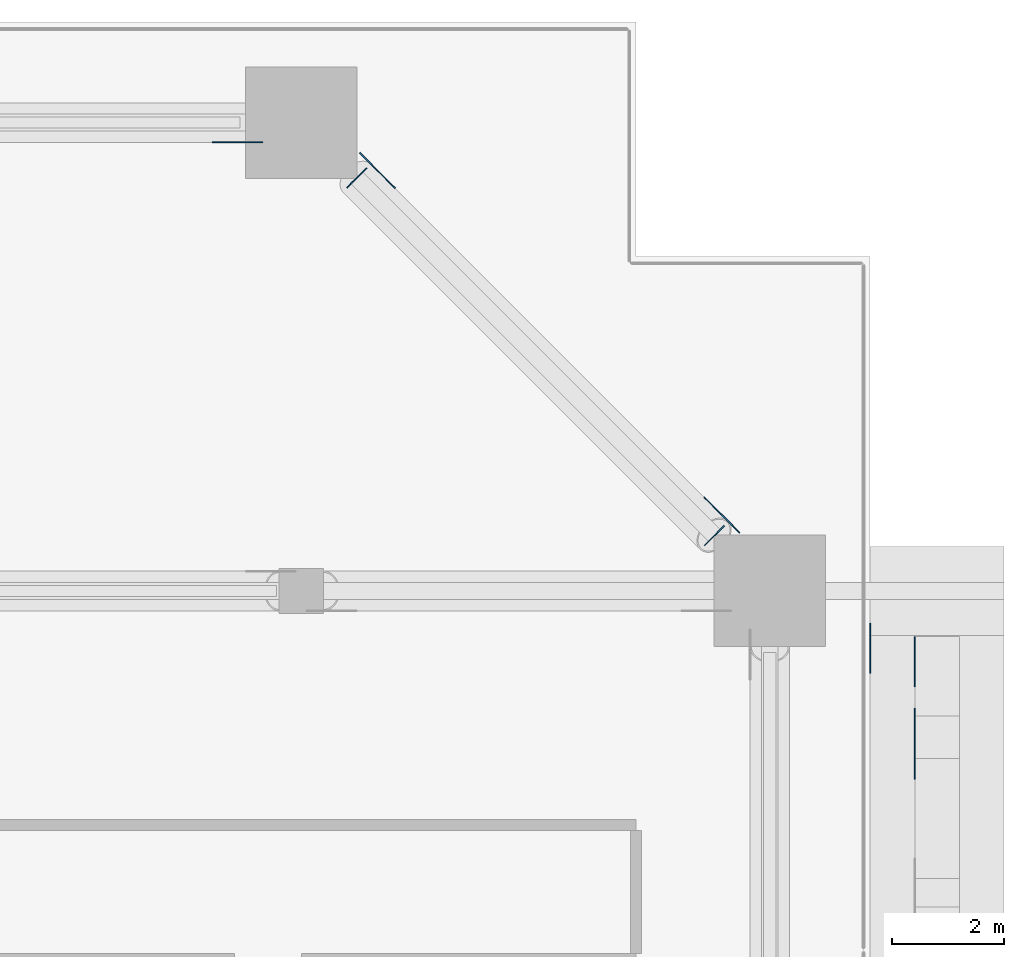
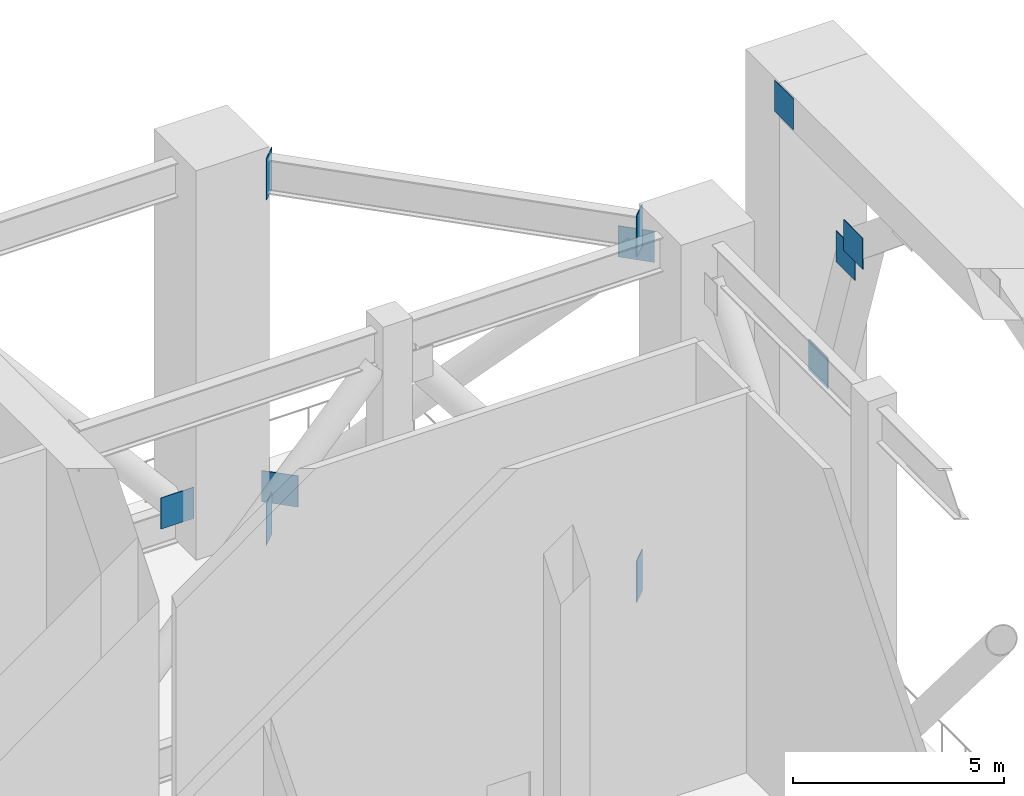
# One storey, part 15 of 19: 11 discrete accessories.
"""IFC4 building model written with IfcOpenShell, lengths in metres."""

from ifc_helpers import new_model, si_unit, direction, frame, origin, origin_2d, place, context, subcontext, project, spatial, rectangle, extrude, element, save


model = new_model("IFC4")

# Units and contexts
model_context = context("Model", 3, precision=1e-05, world=origin(), true_north=direction((0.0, 1.0)))
body_context = subcontext(model_context, "Body", "Model", "MODEL_VIEW")
ifc_project = project(units=[si_unit("LENGTHUNIT", "METRE"), si_unit("AREAUNIT", "SQUARE_METRE"), si_unit("VOLUMEUNIT", "CUBIC_METRE"), si_unit("PLANEANGLEUNIT", "RADIAN"), si_unit("MASSUNIT", "GRAM", prefix="KILO")], contexts=[model_context])

# Site, building, storey
site_placement = place(None, origin())
site = spatial("IfcSite", under=ifc_project, at=site_placement, CompositionType="ELEMENT")
building_placement = place(site_placement, origin())
building = spatial("IfcBuilding", under=site, at=building_placement, Name="Saffron Gate Tower", CompositionType="ELEMENT")
storey_placement = place(building_placement, frame((0.0, 0.0, 84.0)))
storey = spatial("IfcBuildingStorey", under=building, at=storey_placement, Name="L20", CompositionType="ELEMENT", Elevation=84.0)

# Discrete accessories
for number, where, z_axis, x_axis, name in (
    (1, (118.364501953125, 72.9384765625, 0.70849609375), (0.0, 0.0, 1.0), (0.707106781187, -0.707106781187, 0.0), "GUSSET PLATE"),
    (2, (124.538330078125, 66.764404296875, 9.361572265625), (0.0, 0.0, 1.0), (0.707106781187, -0.707106781187, 0.0), "GUSSET PLATE"),
    (3, (115.8544921875, 73.444580078125, 0.7216796875), (0.0, 0.0, 1.0), (-1.0, 0.0, 0.0), "GUSSET PLATE"),
):
    element("IfcDiscreteAccessory", number, at=place(storey_placement, frame(where, z_axis=z_axis, x_axis=x_axis)), inside=storey, Name=name, ObjectType="GUSSET PLATE", PredefinedType="USERDEFINED", context=body_context, shape_type="SweptSolid", body=[
        extrude(rectangle(XDim=0.89990234375, YDim=0.02001953125, at=origin_2d()), origin(), (0.0, 0.0, 1.0), 0.89990234375),
    ])
for number, where, z_axis, x_axis, name in (
    (4, (128.0, 62.4755859375, 10.737548828125), (0.0, 0.0, 1.0), (0.0, 1.0, 0.0), "EMBEDDED PLATE"),
    (5, (128.0, 62.8447265625, 10.19677734375), (0.0, 0.0, 1.0), (0.0, 1.0, 0.0), "EMBEDDED PLATE"),
    (6, (128.0, 64.1298828125, 6.28125), (0.0, 0.0, 1.0), (0.0, 1.0, 0.0), "EMBEDDED PLATE"),
    (7, (127.199951171875, 64.375, 13.900146484375), (0.0, 0.0, 1.0), (0.0, 1.0, 0.0), "EMBEDDED PLATE"),
):
    element("IfcDiscreteAccessory", number, at=place(storey_placement, frame(where, z_axis=z_axis, x_axis=x_axis)), inside=storey, Name=name, ObjectType="EMBEDDED PLATE", PredefinedType="USERDEFINED", context=body_context, shape_type="SweptSolid", body=[
        extrude(rectangle(XDim=0.89990234375, YDim=0.02001953125, at=origin_2d()), origin(), (0.0, 0.0, 1.0), 0.89990234375),
    ])
for number, where, z_axis, x_axis, name in (
    (8, (117.992919921875, 72.80712890625, 9.8701171875), (0.0, 0.0, 1.0), (-0.707106781187, 0.707106781187, 0.0), "BELT TRUSS END PLATE"),
    (9, (124.406982421875, 66.392822265625, 9.8701171875), (0.0, 0.0, 1.0), (0.707106781187, -0.707106781187, 0.0), "BELT TRUSS END PLATE"),
    (10, (117.992919921875, 72.80712890625, -0.10009765625), (0.0, 0.0, 1.0), (-0.707106781187, 0.707106781187, 0.0), "BELT TRUSS END PLATE"),
    (11, (124.406982421875, 66.392822265625, -0.10009765625), (0.0, 0.0, 1.0), (0.707106781187, -0.707106781187, 0.0), "BELT TRUSS END PLATE"),
):
    element("IfcDiscreteAccessory", number, at=place(storey_placement, frame(where, z_axis=z_axis, x_axis=x_axis)), inside=storey, Name=name, ObjectType="BELT TRUSS END PLATE", PredefinedType="USERDEFINED", context=body_context, shape_type="SweptSolid", body=[
        extrude(rectangle(XDim=0.02001953125, YDim=0.5, at=origin_2d()), origin(), (0.0, 0.0, 1.0), 1.199951171875),
    ])

save(model, "model.ifc")
